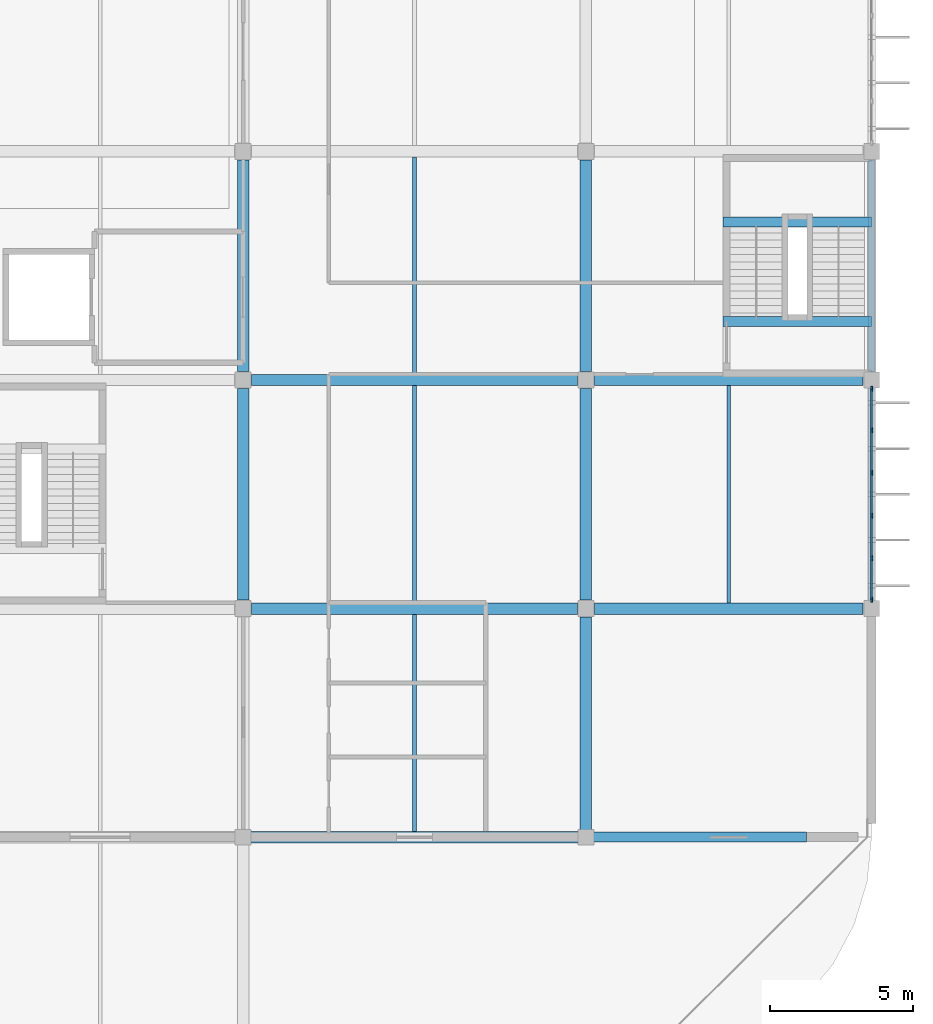
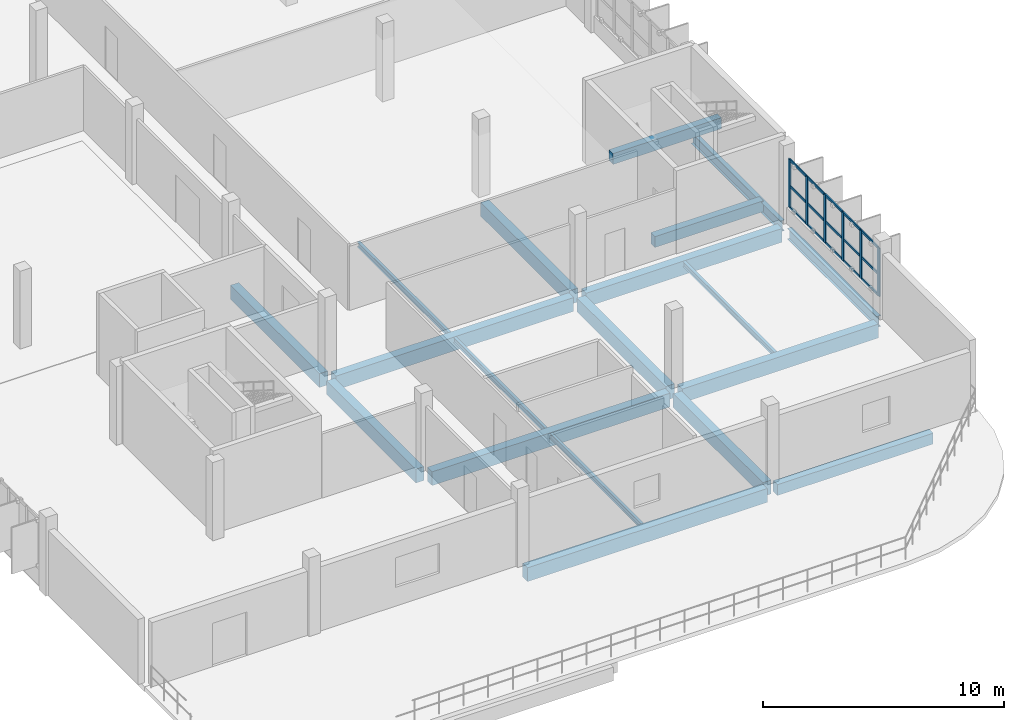
# One storey, part 13 of 38: 21 members, 19 beams, 1 element without a shape of its own.
"""IFC4 building model written with IfcOpenShell, lengths in metres."""

import ifcopenshell
import ifcopenshell.guid

model = None  # the IFC model being written
_history = None  # IfcOwnerHistory: only IFC2X3 demands one
_inside = {}  # id of a spatial element -> (the spatial element, [elements in it])
_under = {}  # id of a project, library or spatial element -> (it, [spatial elements below it])
_declared = {}  # id of a project -> (the project, [libraries it declares])
_typed = {}  # id of a type object -> (the type object, [elements of that type])
_made_of = {}  # id of a material, layer set ... -> (it, [elements and type objects made of it])


def new_model(schema):
    """Start an empty IFC model of exactly this schema.

    Asked for "IFC4X3", IfcOpenShell would pick the latest addendum, in which some entities
    have other attributes; the version numbers below select the first issue.
    IFC2X3 requires an IfcOwnerHistory on every rooted entity: one is made here for all.
    """
    global model, _history
    if schema == "IFC4X3":
        model = ifcopenshell.file(schema_version=(4, 3, 0, 0))
    else:
        model = ifcopenshell.file(schema=schema)
    _inside.clear()
    _under.clear()
    _declared.clear()
    _typed.clear()
    _made_of.clear()
    _history = None
    if model.schema == "IFC2X3":
        org = make("IfcOrganization", Name="unknown")
        user = make(
            "IfcPersonAndOrganization",
            ThePerson=make("IfcPerson", FamilyName="unknown"),
            TheOrganization=org,
        )
        app = make(
            "IfcApplication",
            ApplicationDeveloper=org,
            Version="unknown",
            ApplicationFullName="unknown",
            ApplicationIdentifier="unknown",
        )
        _history = make(
            "IfcOwnerHistory",
            OwningUser=user,
            OwningApplication=app,
            ChangeAction="ADDED",
            CreationDate=0,
        )
    return model


def make(cls, **values):
    """One entity of the class cls with the attributes given. An attribute that is None is left unset."""
    return model.create_entity(
        cls, **{name: value for name, value in values.items() if value is not None}
    )


def rooted(cls, **values):
    """An entity with a GlobalId (a new one), such as an element, a storey or a relation."""
    return make(cls, GlobalId=ifcopenshell.guid.new(), OwnerHistory=_history, **values)


def si_unit(unit_type, name, prefix=None):
    """IfcSIUnit, for example si_unit("LENGTHUNIT", "METRE", prefix="MILLI")."""
    return make("IfcSIUnit", UnitType=unit_type, Prefix=prefix, Name=name)


def assignment(units):
    """IfcUnitAssignment: the units of a project."""
    return None if units is None else make("IfcUnitAssignment", Units=units)


def point(xyz):
    """IfcCartesianPoint."""
    return None if xyz is None else make("IfcCartesianPoint", Coordinates=xyz)


def direction(xyz):
    """IfcDirection."""
    return None if xyz is None else make("IfcDirection", DirectionRatios=xyz)


def frame(location, z_axis=None, x_axis=None):
    """IfcAxis2Placement3D, a coordinate frame: its origin and axes. An axis left out is left unset."""
    return make(
        "IfcAxis2Placement3D",
        Location=point(location),
        Axis=direction(z_axis),
        RefDirection=direction(x_axis),
    )


def frame_2d(location, x_axis=None):
    """IfcAxis2Placement2D, a coordinate frame in the plane: its origin and x axis."""
    return make(
        "IfcAxis2Placement2D", Location=point(location), RefDirection=direction(x_axis)
    )


def origin():
    """The frame at (0, 0, 0) with its axes left unset."""
    return frame((0.0, 0.0, 0.0))


def origin_2d():
    """The frame at (0, 0) in the plane with its x axis left unset."""
    return frame_2d((0.0, 0.0))


def place(relative_to, where):
    """IfcLocalPlacement: puts the frame where relative to a parent placement (None: the world)."""
    return make(
        "IfcLocalPlacement", PlacementRelTo=relative_to, RelativePlacement=where
    )


def context(
    kind, dimensions, precision=None, world=None, true_north=None, identifier=None
):
    """IfcGeometricRepresentationContext, for example the 3D "Model" context."""
    return make(
        "IfcGeometricRepresentationContext",
        ContextIdentifier=identifier,
        ContextType=kind,
        CoordinateSpaceDimension=dimensions,
        Precision=precision,
        WorldCoordinateSystem=world,
        TrueNorth=true_north,
    )


def subcontext(parent, identifier, kind, view, scale=None):
    """IfcGeometricRepresentationSubContext, for example "Body" below "Model"."""
    return make(
        "IfcGeometricRepresentationSubContext",
        ContextIdentifier=identifier,
        ContextType=kind,
        ParentContext=parent,
        TargetScale=scale,
        TargetView=view,
    )


def project(units=None, contexts=None):
    """IfcProject with its units and contexts."""
    return rooted(
        "IfcProject",
        Name="project",
        RepresentationContexts=contexts,
        UnitsInContext=assignment(units),
    )


def spatial(cls, under=None, at=None, **own):
    """A site, building, storey or space (cls), placed at a placement, below another one or the project."""
    s = rooted(cls, ObjectPlacement=at, **own)
    if under is not None:
        _under.setdefault(under.id(), (under, []))[1].append(s)
    return s


def profile(cls, at=None, kind="AREA", **sizes):
    """A parametric profile (cls). Its sizes go by their IFC names, for example OverallWidth=200.0."""
    return make(cls, ProfileType=kind, Position=at, **sizes)


def rectangle(**sizes):
    """IfcRectangleProfileDef."""
    return profile("IfcRectangleProfileDef", **sizes)


def i_section(**sizes):
    """IfcIShapeProfileDef."""
    return profile("IfcIShapeProfileDef", **sizes)


def extrude(swept, where, along, depth):
    """IfcExtrudedAreaSolid: the profile swept, set in the frame where, extruded along a direction by depth."""
    return make(
        "IfcExtrudedAreaSolid",
        SweptArea=swept,
        Position=where,
        ExtrudedDirection=direction(along),
        Depth=depth,
    )


def shape(context_of_items, identifier, shape_type, items):
    """IfcShapeRepresentation: the items that make up one representation, for example the "Body"."""
    return make(
        "IfcShapeRepresentation",
        ContextOfItems=context_of_items,
        RepresentationIdentifier=identifier,
        RepresentationType=shape_type,
        Items=items,
    )


def material(Name=None, Category=None):
    """IfcMaterial."""
    return make("IfcMaterial", Name=Name, Category=Category)


def layer(
    of_material, thickness, ventilated=None, Name=None, Category=None, Priority=None
):
    """IfcMaterialLayer: one layer of a wall or slab, of a material (None: an air gap)."""
    return make(
        "IfcMaterialLayer",
        Material=of_material,
        LayerThickness=thickness,
        IsVentilated=ventilated,
        Name=Name,
        Category=Category,
        Priority=Priority,
    )


def layer_set(layers, Name=None):
    """IfcMaterialLayerSet."""
    return make("IfcMaterialLayerSet", MaterialLayers=layers, LayerSetName=Name)


def material_profile(
    of_material, cross_section, Name=None, Category=None, Priority=None
):
    """IfcMaterialProfile: a cross section and its material."""
    return make(
        "IfcMaterialProfile",
        Name=Name,
        Material=of_material,
        Profile=cross_section,
        Priority=Priority,
        Category=Category,
    )


def profile_set(profiles, Name=None, composite=None):
    """IfcMaterialProfileSet."""
    return make(
        "IfcMaterialProfileSet",
        Name=Name,
        MaterialProfiles=profiles,
        CompositeProfile=composite,
    )


def made_of(thing, what):
    """Note that an element or type object is made of a material, layer set ...; save() writes the relation."""
    if what is not None:
        _made_of.setdefault(what.id(), (what, []))[1].append(thing)
    return thing


def type_object(cls, material=None, **own):
    """A type object (cls), such as IfcWallType, which elements share."""
    return made_of(rooted(cls, **own), material)


def element(
    cls,
    number,
    at=None,
    inside=None,
    cuts=None,
    type_object=None,
    material=None,
    context=None,
    identifier="Body",
    shape_type=None,
    held_by="IfcProductDefinitionShape",
    body=None,
    shapes=None,
    **own,
):
    """One element of the class cls, such as IfcWall. Its Tag is "e" and its number.

    at: its placement. inside: the storey or other place that contains it. cuts: it is an
    opening in that element (IfcRelVoidsElement). A single representation is given by context,
    identifier, shape_type and body (its items); several are given by shapes. held_by: the class
    of the entity that holds the representations. save() writes the other relations.
    """
    e = rooted(cls, Tag="e%d" % number, ObjectPlacement=at, **own)
    if body is not None:
        shapes = [shape(context, identifier, shape_type, body)]
    if shapes is not None:
        e.Representation = make(held_by, Representations=shapes)
    if inside is not None:
        _inside.setdefault(inside.id(), (inside, []))[1].append(e)
    if cuts is not None:
        rooted(
            "IfcRelVoidsElement", RelatingBuildingElement=cuts, RelatedOpeningElement=e
        )
    if type_object is not None:
        _typed.setdefault(type_object.id(), (type_object, []))[1].append(e)
    return made_of(e, material)


def aggregate(whole, parts):
    """IfcRelAggregates: a whole, such as a stair, and the parts it consists of."""
    return rooted("IfcRelAggregates", RelatingObject=whole, RelatedObjects=parts)


def save(model, path):
    """Write the relations noted so far, then the file.

    IfcRelAggregates (storeys below a building ...), IfcRelContainedInSpatialStructure (elements
    in a storey), IfcRelDefinesByType, IfcRelAssociatesMaterial and IfcRelDeclares: one each for
    every whole, place, type object, material and project.
    """
    for whole, parts in _under.values():
        aggregate(whole, parts)
    for where, things in _inside.values():
        rooted(
            "IfcRelContainedInSpatialStructure",
            RelatedElements=things,
            RelatingStructure=where,
        )
    for kind, things in _typed.values():
        rooted("IfcRelDefinesByType", RelatedObjects=things, RelatingType=kind)
    for what, things in _made_of.values():
        rooted("IfcRelAssociatesMaterial", RelatedObjects=things, RelatingMaterial=what)
    for by, libraries in _declared.values():
        rooted("IfcRelDeclares", RelatingContext=by, RelatedDefinitions=libraries)
    model.write(path)


model = new_model("IFC4")

# Units and contexts
model_context = context("Model", 3, precision=1e-05, world=origin(), true_north=direction((0.0, 1.0)))
body_context = subcontext(model_context, "Body", "Model", "MODEL_VIEW")
ifc_project = project(units=[si_unit("LENGTHUNIT", "METRE"), si_unit("AREAUNIT", "SQUARE_METRE"), si_unit("VOLUMEUNIT", "CUBIC_METRE"), si_unit("PLANEANGLEUNIT", "RADIAN"), si_unit("MASSUNIT", "GRAM", prefix="KILO")], contexts=[model_context])

# Site, building, storey
site_placement = place(None, origin())
site = spatial("IfcSite", under=ifc_project, at=site_placement, CompositionType="ELEMENT")
building_placement = place(site_placement, origin())
building = spatial("IfcBuilding", under=site, at=building_placement, Name="Drelvana Railside Aquatics Centre", CompositionType="ELEMENT")
storey_placement = place(building_placement, frame((0.0, 0.0, 14.39990234375)))
storey = spatial("IfcBuildingStorey", under=building, at=storey_placement, Name="L03", CompositionType="ELEMENT", Elevation=14.39990234375)

# Curtain wall, members
ifc_material_1 = material(Name="Bronze-anodised aluminium curtain wall", Category="aluminium")
ifc_layer = layer(ifc_material_1, 0.175048828125, Name="Bronze-anodised aluminium curtain wall")
ifc_layer_set = layer_set([ifc_layer], Name="Bronze-anodised aluminium curtain wall")
curtain_wall_type = type_object("IfcCurtainWallType", Name="CW-Z6-WING", PredefinedType="NOTDEFINED", material=ifc_layer_set)
curtain_wall_placement = place(storey_placement, origin())
curtain_wall = element("IfcCurtainWall", 1, at=curtain_wall_placement, inside=storey, type_object=curtain_wall_type, Name="Curtain wall CW-06-169", PredefinedType="NOTDEFINED")
ifc_material_2 = material(Name="Bronze-anodised aluminium 6063-T6", Category="aluminium")
ifc_material_profile_1 = material_profile(ifc_material_2, rectangle(XDim=0.06494140625, YDim=0.175048828125, at=origin_2d()), Name="ALU-M 65x175")
ifc_profile_set_1 = profile_set([ifc_material_profile_1], Name="Bronze-anodised aluminium 6063-T6")
member_type_1 = type_object("IfcMemberType", Name="CW-Z6-WING-MUL", PredefinedType="MULLION", material=ifc_profile_set_1)
member_1_placement = place(storey_placement, frame((184.0, 24.301513671875, 0.794189453125), z_axis=(0.0, 0.0, 1.0), x_axis=(-1.0, 0.0, 0.0)))
member_1 = element("IfcMember", 2, at=member_1_placement, type_object=member_type_1, Name="CW-06 mullion 1", PredefinedType="MULLION", context=body_context, shape_type="SweptSolid", body=[
    extrude(rectangle(XDim=0.06494140625, YDim=0.175048828125, at=origin_2d()), origin(), (0.0, 0.0, 1.0), 2.455810546875),
])
member_2_placement = place(storey_placement, frame((184.0, 25.761474609375, 0.794189453125), z_axis=(0.0, 0.0, 1.0), x_axis=(-1.0, 0.0, 0.0)))
member_2 = element("IfcMember", 3, at=member_2_placement, type_object=member_type_1, Name="CW-06 mullion 2", PredefinedType="MULLION", context=body_context, shape_type="SweptSolid", body=[
    extrude(rectangle(XDim=0.06494140625, YDim=0.175048828125, at=origin_2d()), origin(), (0.0, 0.0, 1.0), 2.455810546875),
])
member_3_placement = place(storey_placement, frame((184.0, 27.25390625, 0.794189453125), z_axis=(0.0, 0.0, 1.0), x_axis=(-1.0, 0.0, 0.0)))
member_3 = element("IfcMember", 4, at=member_3_placement, type_object=member_type_1, Name="CW-06 mullion 3", PredefinedType="MULLION", context=body_context, shape_type="SweptSolid", body=[
    extrude(rectangle(XDim=0.06494140625, YDim=0.175048828125, at=origin_2d()), origin(), (0.0, 0.0, 1.0), 2.455810546875),
])
member_4_placement = place(storey_placement, frame((184.0, 28.74609375, 0.794189453125), z_axis=(0.0, 0.0, 1.0), x_axis=(-1.0, 0.0, 0.0)))
member_4 = element("IfcMember", 5, at=member_4_placement, type_object=member_type_1, Name="CW-06 mullion 4", PredefinedType="MULLION", context=body_context, shape_type="SweptSolid", body=[
    extrude(rectangle(XDim=0.06494140625, YDim=0.175048828125, at=origin_2d()), origin(), (0.0, 0.0, 1.0), 2.455810546875),
])
member_5_placement = place(storey_placement, frame((184.0, 30.238525390625, 0.794189453125), z_axis=(0.0, 0.0, 1.0), x_axis=(-1.0, 0.0, 0.0)))
member_5 = element("IfcMember", 6, at=member_5_placement, type_object=member_type_1, Name="CW-06 mullion 5", PredefinedType="MULLION", context=body_context, shape_type="SweptSolid", body=[
    extrude(rectangle(XDim=0.06494140625, YDim=0.175048828125, at=origin_2d()), origin(), (0.0, 0.0, 1.0), 2.455810546875),
])
member_6_placement = place(storey_placement, frame((184.0, 31.698486328125, 0.794189453125), z_axis=(0.0, 0.0, 1.0), x_axis=(-1.0, 0.0, 0.0)))
member_6 = element("IfcMember", 7, at=member_6_placement, type_object=member_type_1, Name="CW-06 mullion 6", PredefinedType="MULLION", context=body_context, shape_type="SweptSolid", body=[
    extrude(rectangle(XDim=0.06494140625, YDim=0.175048828125, at=origin_2d()), origin(), (0.0, 0.0, 1.0), 2.455810546875),
])
ifc_material_profile_2 = material_profile(ifc_material_2, rectangle(XDim=0.1201171875, YDim=0.06005859375, at=origin_2d()), Name="ALU-T 60x120")
ifc_profile_set_2 = profile_set([ifc_material_profile_2], Name="Bronze-anodised aluminium 6063-T6")
member_type_2 = type_object("IfcMemberType", Name="CW-Z6-WING-TRN", PredefinedType="USERDEFINED", material=ifc_profile_set_2)
member_7_placement = place(storey_placement, frame((184.0, 24.3291015625, 0.82421875), z_axis=(0.0, 1.0, 0.0), x_axis=(0.0, 0.0, 1.0)))
member_7 = element("IfcMember", 8, at=member_7_placement, type_object=member_type_2, Name="CW-06 transom 1.1", ObjectType="TRANSOM", PredefinedType="USERDEFINED", context=body_context, shape_type="SweptSolid", body=[
    extrude(rectangle(XDim=0.1201171875, YDim=0.06005859375, at=origin_2d()), origin(), (0.0, 0.0, 1.0), 1.40478515625),
])
member_8_placement = place(storey_placement, frame((184.0, 24.3291015625, 1.899169921875), z_axis=(0.0, 1.0, 0.0), x_axis=(0.0, 0.0, 1.0)))
member_8 = element("IfcMember", 9, at=member_8_placement, type_object=member_type_2, Name="CW-06 transom 1.2", ObjectType="TRANSOM", PredefinedType="USERDEFINED", context=body_context, shape_type="SweptSolid", body=[
    extrude(rectangle(XDim=0.1201171875, YDim=0.06005859375, at=origin_2d()), origin(), (0.0, 0.0, 1.0), 1.40478515625),
])
member_9_placement = place(storey_placement, frame((184.0, 24.3291015625, 3.22021484375), z_axis=(0.0, 1.0, 0.0), x_axis=(0.0, 0.0, 1.0)))
member_9 = element("IfcMember", 10, at=member_9_placement, type_object=member_type_2, Name="CW-06 transom 1.3", ObjectType="TRANSOM", PredefinedType="USERDEFINED", context=body_context, shape_type="SweptSolid", body=[
    extrude(rectangle(XDim=0.1201171875, YDim=0.06005859375, at=origin_2d()), origin(), (0.0, 0.0, 1.0), 1.40478515625),
])
member_10_placement = place(storey_placement, frame((184.0, 25.788818359375, 0.82421875), z_axis=(0.0, 1.0, 0.0), x_axis=(0.0, 0.0, 1.0)))
member_10 = element("IfcMember", 11, at=member_10_placement, type_object=member_type_2, Name="CW-06 transom 2.1", ObjectType="TRANSOM", PredefinedType="USERDEFINED", context=body_context, shape_type="SweptSolid", body=[
    extrude(rectangle(XDim=0.1201171875, YDim=0.06005859375, at=origin_2d()), origin(), (0.0, 0.0, 1.0), 1.4375),
])
member_11_placement = place(storey_placement, frame((184.0, 25.788818359375, 1.899169921875), z_axis=(0.0, 1.0, 0.0), x_axis=(0.0, 0.0, 1.0)))
member_11 = element("IfcMember", 12, at=member_11_placement, type_object=member_type_2, Name="CW-06 transom 2.2", ObjectType="TRANSOM", PredefinedType="USERDEFINED", context=body_context, shape_type="SweptSolid", body=[
    extrude(rectangle(XDim=0.1201171875, YDim=0.06005859375, at=origin_2d()), origin(), (0.0, 0.0, 1.0), 1.4375),
])
member_12_placement = place(storey_placement, frame((184.0, 25.788818359375, 3.22021484375), z_axis=(0.0, 1.0, 0.0), x_axis=(0.0, 0.0, 1.0)))
member_12 = element("IfcMember", 13, at=member_12_placement, type_object=member_type_2, Name="CW-06 transom 2.3", ObjectType="TRANSOM", PredefinedType="USERDEFINED", context=body_context, shape_type="SweptSolid", body=[
    extrude(rectangle(XDim=0.1201171875, YDim=0.06005859375, at=origin_2d()), origin(), (0.0, 0.0, 1.0), 1.4375),
])
member_13_placement = place(storey_placement, frame((184.0, 27.28125, 0.82421875), z_axis=(0.0, 1.0, 0.0), x_axis=(0.0, 0.0, 1.0)))
member_13 = element("IfcMember", 14, at=member_13_placement, type_object=member_type_2, Name="CW-06 transom 3.1", ObjectType="TRANSOM", PredefinedType="USERDEFINED", context=body_context, shape_type="SweptSolid", body=[
    extrude(rectangle(XDim=0.1201171875, YDim=0.06005859375, at=origin_2d()), origin(), (0.0, 0.0, 1.0), 1.4375),
])
member_14_placement = place(storey_placement, frame((184.0, 27.28125, 1.899169921875), z_axis=(0.0, 1.0, 0.0), x_axis=(0.0, 0.0, 1.0)))
member_14 = element("IfcMember", 15, at=member_14_placement, type_object=member_type_2, Name="CW-06 transom 3.2", ObjectType="TRANSOM", PredefinedType="USERDEFINED", context=body_context, shape_type="SweptSolid", body=[
    extrude(rectangle(XDim=0.1201171875, YDim=0.06005859375, at=origin_2d()), origin(), (0.0, 0.0, 1.0), 1.4375),
])
member_15_placement = place(storey_placement, frame((184.0, 27.28125, 3.22021484375), z_axis=(0.0, 1.0, 0.0), x_axis=(0.0, 0.0, 1.0)))
member_15 = element("IfcMember", 16, at=member_15_placement, type_object=member_type_2, Name="CW-06 transom 3.3", ObjectType="TRANSOM", PredefinedType="USERDEFINED", context=body_context, shape_type="SweptSolid", body=[
    extrude(rectangle(XDim=0.1201171875, YDim=0.06005859375, at=origin_2d()), origin(), (0.0, 0.0, 1.0), 1.4375),
])
member_16_placement = place(storey_placement, frame((184.0, 28.773681640625, 0.82421875), z_axis=(0.0, 1.0, 0.0), x_axis=(0.0, 0.0, 1.0)))
member_16 = element("IfcMember", 17, at=member_16_placement, type_object=member_type_2, Name="CW-06 transom 4.1", ObjectType="TRANSOM", PredefinedType="USERDEFINED", context=body_context, shape_type="SweptSolid", body=[
    extrude(rectangle(XDim=0.1201171875, YDim=0.06005859375, at=origin_2d()), origin(), (0.0, 0.0, 1.0), 1.4375),
])
member_17_placement = place(storey_placement, frame((184.0, 28.773681640625, 1.899169921875), z_axis=(0.0, 1.0, 0.0), x_axis=(0.0, 0.0, 1.0)))
member_17 = element("IfcMember", 18, at=member_17_placement, type_object=member_type_2, Name="CW-06 transom 4.2", ObjectType="TRANSOM", PredefinedType="USERDEFINED", context=body_context, shape_type="SweptSolid", body=[
    extrude(rectangle(XDim=0.1201171875, YDim=0.06005859375, at=origin_2d()), origin(), (0.0, 0.0, 1.0), 1.4375),
])
member_18_placement = place(storey_placement, frame((184.0, 28.773681640625, 3.22021484375), z_axis=(0.0, 1.0, 0.0), x_axis=(0.0, 0.0, 1.0)))
member_18 = element("IfcMember", 19, at=member_18_placement, type_object=member_type_2, Name="CW-06 transom 4.3", ObjectType="TRANSOM", PredefinedType="USERDEFINED", context=body_context, shape_type="SweptSolid", body=[
    extrude(rectangle(XDim=0.1201171875, YDim=0.06005859375, at=origin_2d()), origin(), (0.0, 0.0, 1.0), 1.4375),
])
member_19_placement = place(storey_placement, frame((184.0, 30.26611328125, 0.82421875), z_axis=(0.0, 1.0, 0.0), x_axis=(0.0, 0.0, 1.0)))
member_19 = element("IfcMember", 20, at=member_19_placement, type_object=member_type_2, Name="CW-06 transom 5.1", ObjectType="TRANSOM", PredefinedType="USERDEFINED", context=body_context, shape_type="SweptSolid", body=[
    extrude(rectangle(XDim=0.1201171875, YDim=0.06005859375, at=origin_2d()), origin(), (0.0, 0.0, 1.0), 1.40478515625),
])
member_20_placement = place(storey_placement, frame((184.0, 30.26611328125, 1.899169921875), z_axis=(0.0, 1.0, 0.0), x_axis=(0.0, 0.0, 1.0)))
member_20 = element("IfcMember", 21, at=member_20_placement, type_object=member_type_2, Name="CW-06 transom 5.2", ObjectType="TRANSOM", PredefinedType="USERDEFINED", context=body_context, shape_type="SweptSolid", body=[
    extrude(rectangle(XDim=0.1201171875, YDim=0.06005859375, at=origin_2d()), origin(), (0.0, 0.0, 1.0), 1.40478515625),
])
member_21_placement = place(storey_placement, frame((184.0, 30.26611328125, 3.22021484375), z_axis=(0.0, 1.0, 0.0), x_axis=(0.0, 0.0, 1.0)))
member_21 = element("IfcMember", 22, at=member_21_placement, type_object=member_type_2, Name="CW-06 transom 5.3", ObjectType="TRANSOM", PredefinedType="USERDEFINED", context=body_context, shape_type="SweptSolid", body=[
    extrude(rectangle(XDim=0.1201171875, YDim=0.06005859375, at=origin_2d()), origin(), (0.0, 0.0, 1.0), 1.40478515625),
])
aggregate(curtain_wall, [member_1, member_2, member_3, member_4, member_5, member_6, member_7, member_8, member_9, member_10, member_11, member_12, member_13, member_14, member_15, member_16, member_17, member_18, member_19, member_20, member_21])

# Beams
ifc_material_3 = material(Name="Concrete C40/50", Category="concrete")
ifc_material_profile_3 = material_profile(ifc_material_3, rectangle(XDim=0.35009765625, YDim=0.550048828125, at=origin_2d()), Name="RC 350x550")
ifc_profile_set_3 = profile_set([ifc_material_profile_3], Name="Concrete C40/50")
beam_type_1 = type_object("IfcBeamType", Name="STR-BM-BM-01-RC-350x550", PredefinedType="BEAM", material=ifc_profile_set_3)
beam_1_placement = place(storey_placement, frame((174.25, 16.0, -0.514892578125), z_axis=(1.0, 0.0, 0.0), x_axis=(0.0, 1.0, 0.0)))
element("IfcBeam", 23, at=beam_1_placement, inside=storey, type_object=beam_type_1, Name="Girder BM-01 (L03)", PredefinedType="BEAM", context=body_context, shape_type="SweptSolid", body=[
    extrude(rectangle(XDim=0.35009765625, YDim=0.550048828125, at=origin_2d()), origin(), (0.0, 0.0, 1.0), 7.473388671875),
])
for number, where, z_axis, x_axis, name in (
    (24, (178.800048828125, 34.050048828125, -0.474853515625), (1.0, 0.0, 0.0), (0.0, 1.0, 0.0), "Stair ST-09 L03 landing beam"),
    (25, (178.800048828125, 37.52490234375, 1.625), (1.0, 0.0, 0.0), (0.0, 1.0, 0.0), "Stair ST-09 L03 mid-landing beam"),
):
    element("IfcBeam", number, at=place(storey_placement, frame(where, z_axis=z_axis, x_axis=x_axis)), inside=storey, type_object=beam_type_1, Name=name, PredefinedType="BEAM", context=body_context, shape_type="SweptSolid", body=[
        extrude(rectangle(XDim=0.35009765625, YDim=0.550048828125, at=origin_2d()), origin(), (0.0, 0.0, 1.0), 5.199951171875),
    ])
ifc_material_profile_4 = material_profile(ifc_material_3, rectangle(XDim=0.39990234375, YDim=0.699951171875, at=origin_2d()), Name="RC 400x700")
ifc_profile_set_4 = profile_set([ifc_material_profile_4], Name="Concrete C40/50")
beam_type_2 = type_object("IfcBeamType", Name="STR-BM-BM-03-RC-400x700", PredefinedType="BEAM", material=ifc_profile_set_4)
beam_2_placement = place(storey_placement, frame((162.25, 16.0, -0.58984375), z_axis=(1.0, 0.0, 0.0), x_axis=(0.0, 1.0, 0.0)))
element("IfcBeam", 26, at=beam_2_placement, inside=storey, type_object=beam_type_2, Name="Girder BM-03 (L03)", PredefinedType="BEAM", context=body_context, shape_type="SweptSolid", body=[
    extrude(rectangle(XDim=0.39990234375, YDim=0.699951171875, at=origin_2d()), origin(), (0.0, 0.0, 1.0), 11.5),
])
beam_3_placement = place(storey_placement, frame((162.300048828125, 24.0, -0.58984375), z_axis=(1.0, 0.0, 0.0), x_axis=(0.0, 1.0, 0.0)))
element("IfcBeam", 27, at=beam_3_placement, inside=storey, type_object=beam_type_2, Name="Girder BM-03 (L03)", PredefinedType="BEAM", context=body_context, shape_type="SweptSolid", body=[
    extrude(rectangle(XDim=0.39990234375, YDim=0.699951171875, at=origin_2d()), origin(), (0.0, 0.0, 1.0), 11.39990234375),
])
beam_4_placement = place(storey_placement, frame((174.300048828125, 24.0, -0.58984375), z_axis=(1.0, 0.0, 0.0), x_axis=(0.0, 1.0, 0.0)))
element("IfcBeam", 28, at=beam_4_placement, inside=storey, type_object=beam_type_2, Name="Girder BM-03 (L03)", PredefinedType="BEAM", context=body_context, shape_type="SweptSolid", body=[
    extrude(rectangle(XDim=0.39990234375, YDim=0.699951171875, at=origin_2d()), origin(), (0.0, 0.0, 1.0), 9.39990234375),
])
beam_5_placement = place(storey_placement, frame((162.300048828125, 32.0, -0.58984375), z_axis=(1.0, 0.0, 0.0), x_axis=(0.0, 1.0, 0.0)))
element("IfcBeam", 29, at=beam_5_placement, inside=storey, type_object=beam_type_2, Name="Girder BM-03 (L03)", PredefinedType="BEAM", context=body_context, shape_type="SweptSolid", body=[
    extrude(rectangle(XDim=0.39990234375, YDim=0.699951171875, at=origin_2d()), origin(), (0.0, 0.0, 1.0), 11.39990234375),
])
beam_6_placement = place(storey_placement, frame((174.300048828125, 32.0, -0.58984375), z_axis=(1.0, 0.0, 0.0), x_axis=(0.0, 1.0, 0.0)))
element("IfcBeam", 30, at=beam_6_placement, inside=storey, type_object=beam_type_2, Name="Girder BM-03 (L03)", PredefinedType="BEAM", context=body_context, shape_type="SweptSolid", body=[
    extrude(rectangle(XDim=0.39990234375, YDim=0.699951171875, at=origin_2d()), origin(), (0.0, 0.0, 1.0), 9.39990234375),
])
for number, where, z_axis, x_axis, name in (
    (31, (162.0, 24.300048828125, -0.58984375), (0.0, 1.0, 0.0), (-1.0, 0.0, 0.0), "Girder BM-03 (L03)"),
    (32, (162.0, 32.300048828125, -0.58984375), (0.0, 1.0, 0.0), (-1.0, 0.0, 0.0), "Girder BM-03 (L03)"),
):
    element("IfcBeam", number, at=place(storey_placement, frame(where, z_axis=z_axis, x_axis=x_axis)), inside=storey, type_object=beam_type_2, Name=name, PredefinedType="BEAM", context=body_context, shape_type="SweptSolid", body=[
        extrude(rectangle(XDim=0.39990234375, YDim=0.699951171875, at=origin_2d()), origin(), (0.0, 0.0, 1.0), 7.39990234375),
    ])
beam_7_placement = place(storey_placement, frame((174.0, 16.25, -0.58984375), z_axis=(0.0, 1.0, 0.0), x_axis=(-1.0, 0.0, 0.0)))
element("IfcBeam", 33, at=beam_7_placement, inside=storey, type_object=beam_type_2, Name="Girder BM-03 (L03)", PredefinedType="BEAM", context=body_context, shape_type="SweptSolid", body=[
    extrude(rectangle(XDim=0.39990234375, YDim=0.699951171875, at=origin_2d()), origin(), (0.0, 0.0, 1.0), 7.449951171875),
])
for number, where, z_axis, x_axis, name in (
    (34, (174.0, 24.300048828125, -0.58984375), (0.0, 1.0, 0.0), (-1.0, 0.0, 0.0), "Girder BM-03 (L03)"),
    (35, (174.0, 32.300048828125, -0.58984375), (0.0, 1.0, 0.0), (-1.0, 0.0, 0.0), "Girder BM-03 (L03)"),
):
    element("IfcBeam", number, at=place(storey_placement, frame(where, z_axis=z_axis, x_axis=x_axis)), inside=storey, type_object=beam_type_2, Name=name, PredefinedType="BEAM", context=body_context, shape_type="SweptSolid", body=[
        extrude(rectangle(XDim=0.39990234375, YDim=0.699951171875, at=origin_2d()), origin(), (0.0, 0.0, 1.0), 7.39990234375),
    ])
ifc_material_4 = material(Name="Structural steel S355", Category="steel")
ifc_material_profile_5 = material_profile(ifc_material_4, i_section(OverallWidth=0.2099609375, OverallDepth=0.550048828125, WebThickness=0.010986328125, FlangeThickness=0.01708984375, at=origin_2d()), Name="IPE 550")
ifc_profile_set_5 = profile_set([ifc_material_profile_5], Name="Structural steel S355")
beam_type_3 = type_object("IfcBeamType", Name="STR-SBM-SB-04-IPE-550", PredefinedType="SPANDREL", material=ifc_profile_set_5)
for number, where, z_axis, x_axis, name in (
    (36, (184.0, 24.300048828125, -0.514892578125), (0.0, 1.0, 0.0), (-1.0, 0.0, 0.0), "Girder SB-04 (L03)"),
    (37, (184.0, 32.300048828125, -0.514892578125), (0.0, 1.0, 0.0), (-1.0, 0.0, 0.0), "Girder SB-04 (L03)"),
):
    element("IfcBeam", number, at=place(storey_placement, frame(where, z_axis=z_axis, x_axis=x_axis)), inside=storey, type_object=beam_type_3, Name=name, PredefinedType="SPANDREL", context=body_context, shape_type="SweptSolid", body=[
        extrude(i_section(OverallWidth=0.2099609375, OverallDepth=0.550048828125, WebThickness=0.010986328125, FlangeThickness=0.01708984375, at=origin_2d()), origin(), (0.0, 0.0, 1.0), 7.39990234375),
    ])
ifc_material_profile_6 = material_profile(ifc_material_4, i_section(OverallWidth=0.135009765625, OverallDepth=0.27001953125, WebThickness=0.006591796875, FlangeThickness=0.01025390625, at=origin_2d()), Name="IPE 270")
ifc_profile_set_6 = profile_set([ifc_material_profile_6], Name="Structural steel S355")
beam_type_4 = type_object("IfcBeamType", Name="STR-SBM-SJ-02-IPE-270", PredefinedType="JOIST", material=ifc_profile_set_6)
for number, where, z_axis, x_axis, name in (
    (38, (168.0, 16.199951171875, -0.375), (0.0, 1.0, 0.0), (-1.0, 0.0, 0.0), "Secondary floor joist SJ-02 (L03)"),
    (39, (168.0, 24.199951171875, -0.375), (0.0, 1.0, 0.0), (-1.0, 0.0, 0.0), "Secondary floor joist SJ-02 (L03)"),
    (40, (168.0, 32.199951171875, -0.375), (0.0, 1.0, 0.0), (-1.0, 0.0, 0.0), "Secondary floor joist SJ-02 (L03)"),
    (41, (179.0, 24.199951171875, -0.375), (0.0, 1.0, 0.0), (-1.0, 0.0, 0.0), "Secondary floor joist SJ-02 (L03)"),
):
    element("IfcBeam", number, at=place(storey_placement, frame(where, z_axis=z_axis, x_axis=x_axis)), inside=storey, type_object=beam_type_4, Name=name, PredefinedType="JOIST", context=body_context, shape_type="SweptSolid", body=[
        extrude(i_section(OverallWidth=0.135009765625, OverallDepth=0.27001953125, WebThickness=0.006591796875, FlangeThickness=0.01025390625, at=origin_2d()), origin(), (0.0, 0.0, 1.0), 7.60009765625),
    ])

save(model, "model.ifc")
